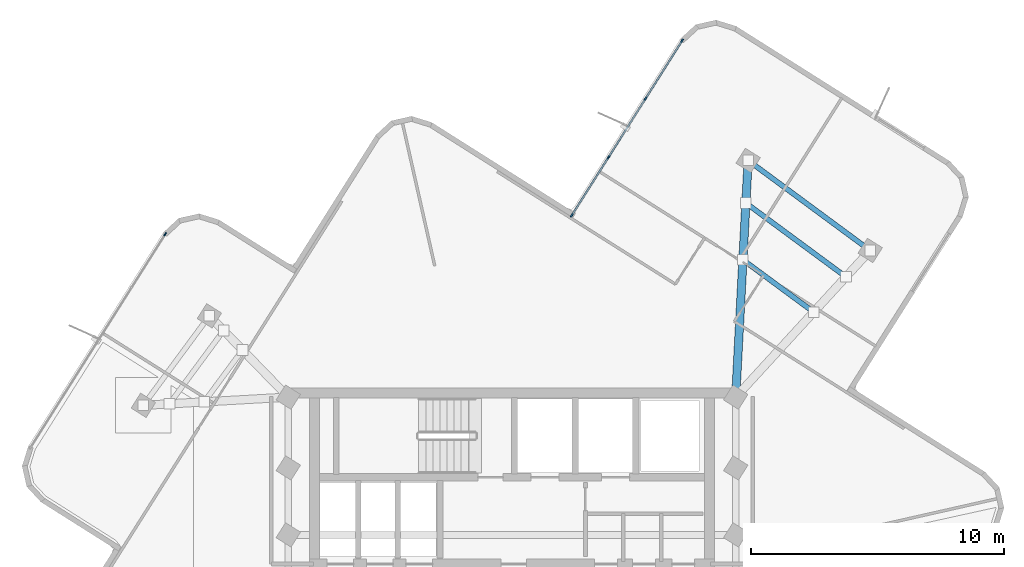
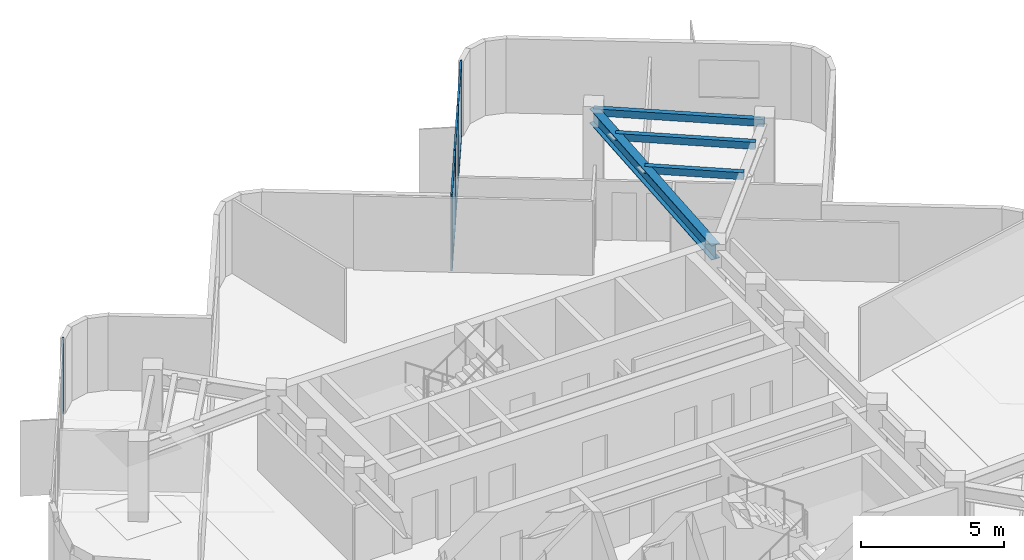
# One storey, part 4 of 10: 11 members, 4 beams, 2 elements without a shape of their own.
"""IFC4 building model written with IfcOpenShell, lengths in metres."""

from ifc_helpers import new_model, si_unit, direction, frame, origin, origin_2d, place, context, subcontext, project, spatial, rectangle, hollow_rectangle, i_section, extrude, material, layer, layer_set, material_profile, profile_set, type_object, element, aggregate, save


model = new_model("IFC4")

# Units and contexts
model_context = context("Model", 3, precision=1e-05, world=origin(), true_north=direction((0.0, 1.0)))
body_context = subcontext(model_context, "Body", "Model", "MODEL_VIEW")
ifc_project = project(units=[si_unit("LENGTHUNIT", "METRE"), si_unit("AREAUNIT", "SQUARE_METRE"), si_unit("VOLUMEUNIT", "CUBIC_METRE"), si_unit("PLANEANGLEUNIT", "RADIAN"), si_unit("MASSUNIT", "GRAM", prefix="KILO")], contexts=[model_context])

# Site, building, storey
site_placement = place(None, origin())
site = spatial("IfcSite", under=ifc_project, at=site_placement, CompositionType="ELEMENT")
building_placement = place(site_placement, origin())
building = spatial("IfcBuilding", under=site, at=building_placement, Name="Solmarez Civic Tower", CompositionType="ELEMENT")
storey_placement = place(building_placement, frame((0.0, 0.0, 274.860107421875)))
storey = spatial("IfcBuildingStorey", under=building, at=storey_placement, Name="L74", CompositionType="ELEMENT", Elevation=274.860107421875)

# Beams
ifc_material_1 = material(Name="Steel S355", Category="steel")
ifc_material_profile_1 = material_profile(ifc_material_1, hollow_rectangle(XDim=0.199951171875, YDim=0.300048828125, WallThickness=0.011962890625, at=origin_2d()), Name="HSS300X200X12")
ifc_profile_set_1 = profile_set([ifc_material_profile_1], Name="Steel S355")
beam_type_1 = type_object("IfcBeamType", Name="BM-JS-HSS300X200", PredefinedType="JOIST", material=ifc_profile_set_1)
beam_1_placement = place(storey_placement, frame((14.1689453125, 14.152099609375, 3.010009765625), z_axis=(-0.804687480311, 0.593698626434, 0.0), x_axis=(-0.593698626434, -0.804687480311, 0.0)))
element("IfcBeam", 1, at=beam_1_placement, inside=storey, type_object=beam_type_1, Name="L74 Secondary Floor Joist BM-L74-EA-T1", PredefinedType="JOIST", context=body_context, shape_type="SweptSolid", body=[
    extrude(hollow_rectangle(XDim=0.199951171875, YDim=0.300048828125, WallThickness=0.011962890625, at=origin_2d()), origin(), (0.0, 0.0, 1.0), 5.999755859375),
])
beam_2_placement = place(storey_placement, frame((11.93505859375, 11.715087890625, 3.010009765625), z_axis=(-0.8046818189, 0.593706299724, 0.0), x_axis=(-0.593706299724, -0.8046818189, 0.0)))
element("IfcBeam", 2, at=beam_2_placement, inside=storey, type_object=beam_type_1, Name="L74 Secondary Floor Joist JS-L74-EA-M11", PredefinedType="JOIST", context=body_context, shape_type="SweptSolid", body=[
    extrude(hollow_rectangle(XDim=0.199951171875, YDim=0.300048828125, WallThickness=0.011962890625, at=origin_2d()), origin(), (0.0, 0.0, 1.0), 3.479736328125),
])
beam_3_placement = place(storey_placement, frame((13.2119140625, 13.10791015625, 3.010009765625), z_axis=(-0.804762606031, 0.593596789019, 0.0), x_axis=(-0.593596789019, -0.804762606031, 0.0)))
element("IfcBeam", 3, at=beam_3_placement, inside=storey, type_object=beam_type_1, Name="L74 Secondary Floor Joist JS-L74-EA-M12", PredefinedType="JOIST", context=body_context, shape_type="SweptSolid", body=[
    extrude(hollow_rectangle(XDim=0.199951171875, YDim=0.300048828125, WallThickness=0.011962890625, at=origin_2d()), origin(), (0.0, 0.0, 1.0), 4.91943359375),
])
ifc_material_profile_2 = material_profile(ifc_material_1, i_section(OverallWidth=0.327880859375, OverallDepth=0.6220703125, WebThickness=0.015380859375, FlangeThickness=0.0244140625, at=origin_2d()), Name="W24X131")
ifc_profile_set_2 = profile_set([ifc_material_profile_2], Name="Steel S355")
beam_type_2 = type_object("IfcBeamType", Name="BM-PR-W24X131", PredefinedType="BEAM", material=ifc_profile_set_2)
beam_4_placement = place(storey_placement, frame((8.85009765625, 8.35009765625, 2.848876953125), z_axis=(0.052359315135, 0.998628310293, 0.0), x_axis=(-0.998628310293, 0.052359315135, 0.0)))
element("IfcBeam", 4, at=beam_4_placement, inside=storey, type_object=beam_type_2, Name="L74 Primary Floor Beam BM-L74-EA-R1B", PredefinedType="BEAM", context=body_context, shape_type="SweptSolid", body=[
    extrude(i_section(OverallWidth=0.327880859375, OverallDepth=0.6220703125, WebThickness=0.015380859375, FlangeThickness=0.0244140625, at=origin_2d()), origin(), (0.0, 0.0, 1.0), 9.376953125),
])

# Curtain wall, member
ifc_material_2 = material(Name="Bronze Anodised Aluminium EN AW-6063 T6", Category="aluminium")
ifc_layer = layer(ifc_material_2, 0.1650390625)
ifc_layer_set = layer_set([ifc_layer], Name="Bronze Anodised Aluminium EN AW-6063 T6")
curtain_wall_type = type_object("IfcCurtainWallType", Name="CW-SYS-4", PredefinedType="NOTDEFINED", material=ifc_layer_set)
curtain_wall_1_placement = place(storey_placement, origin())
curtain_wall_1 = element("IfcCurtainWall", 5, at=curtain_wall_1_placement, inside=storey, type_object=curtain_wall_type, Name="L74 Stick-Built Curtain Wall 1", PredefinedType="NOTDEFINED")
ifc_material_profile_3 = material_profile(ifc_material_2, rectangle(XDim=0.06005859375, YDim=0.14990234375, at=origin_2d()), Name="CWM-60X150")
ifc_profile_set_3 = profile_set([ifc_material_profile_3], Name="Bronze Anodised Aluminium EN AW-6063 T6")
member_type_1 = type_object("IfcMemberType", Name="CWM-TYPE-4", PredefinedType="MULLION", material=ifc_profile_set_3)
member_1_placement = place(storey_placement, frame((-13.718994140625, 14.794677734375, 0.0), z_axis=(0.0, 0.0, 1.0), x_axis=(-0.845443855725, 0.534064309626, 0.0)))
member_1 = element("IfcMember", 6, at=member_1_placement, type_object=member_type_1, Name="CWS4 mullion 5", PredefinedType="MULLION", context=body_context, shape_type="SweptSolid", body=[
    extrude(rectangle(XDim=0.06005859375, YDim=0.14990234375, at=origin_2d()), origin(), (0.0, 0.0, 1.0), 3.159912109375),
])
aggregate(curtain_wall_1, [member_1])

# Curtain wall, members
curtain_wall_2_placement = place(storey_placement, origin())
curtain_wall_2 = element("IfcCurtainWall", 7, at=curtain_wall_2_placement, inside=storey, type_object=curtain_wall_type, Name="L74 Stick-Built Curtain Wall 2", PredefinedType="NOTDEFINED")
member_2_placement = place(storey_placement, frame((2.364013671875, 15.538330078125, 0.0), z_axis=(0.0, 0.0, 1.0), x_axis=(-0.845514848796, 0.533951908383, 0.0)))
member_2 = element("IfcMember", 8, at=member_2_placement, type_object=member_type_1, Name="CWS4 mullion 1", PredefinedType="MULLION", context=body_context, shape_type="SweptSolid", body=[
    extrude(rectangle(XDim=0.06005859375, YDim=0.14990234375, at=origin_2d()), origin(), (0.0, 0.0, 1.0), 3.159912109375),
])
member_3_placement = place(storey_placement, frame((3.81494140625, 17.8359375, 0.0), z_axis=(0.0, 0.0, 1.0), x_axis=(-0.845514848796, 0.533951908383, 0.0)))
member_3 = element("IfcMember", 9, at=member_3_placement, type_object=member_type_1, Name="CWS4 mullion 2", PredefinedType="MULLION", context=body_context, shape_type="SweptSolid", body=[
    extrude(rectangle(XDim=0.06005859375, YDim=0.14990234375, at=origin_2d()), origin(), (0.0, 0.0, 1.0), 3.159912109375),
])
member_4_placement = place(storey_placement, frame((5.281982421875, 20.158935546875, 0.0), z_axis=(0.0, 0.0, 1.0), x_axis=(-0.845514848796, 0.533951908383, 0.0)))
member_4 = element("IfcMember", 10, at=member_4_placement, type_object=member_type_1, Name="CWS4 mullion 3", PredefinedType="MULLION", context=body_context, shape_type="SweptSolid", body=[
    extrude(rectangle(XDim=0.06005859375, YDim=0.14990234375, at=origin_2d()), origin(), (0.0, 0.0, 1.0), 3.159912109375),
])
member_5_placement = place(storey_placement, frame((6.73291015625, 22.45654296875, 0.0), z_axis=(0.0, 0.0, 1.0), x_axis=(-0.845514848796, 0.533951908383, 0.0)))
member_5 = element("IfcMember", 11, at=member_5_placement, type_object=member_type_1, Name="CWS4 mullion 4", PredefinedType="MULLION", context=body_context, shape_type="SweptSolid", body=[
    extrude(rectangle(XDim=0.06005859375, YDim=0.14990234375, at=origin_2d()), origin(), (0.0, 0.0, 1.0), 3.159912109375),
])
ifc_material_profile_4 = material_profile(ifc_material_2, rectangle(XDim=0.070068359375, YDim=0.139892578125, at=origin_2d()), Name="CWT-70X140")
ifc_profile_set_4 = profile_set([ifc_material_profile_4], Name="Bronze Anodised Aluminium EN AW-6063 T6")
member_type_2 = type_object("IfcMemberType", Name="CWT-TYPE-1", PredefinedType="USERDEFINED", material=ifc_profile_set_4)
member_6_placement = place(storey_placement, frame((2.380126953125, 15.563720703125, 0.034912109375), z_axis=(0.533965338267, 0.845506367528, 0.0), x_axis=(-0.845506367528, 0.533965338267, 0.0)))
member_6 = element("IfcMember", 12, at=member_6_placement, type_object=member_type_2, Name="CWS4 transom 1.1", ObjectType="TRANSOM", PredefinedType="USERDEFINED", context=body_context, shape_type="SweptSolid", body=[
    extrude(rectangle(XDim=0.070068359375, YDim=0.139892578125, at=origin_2d()), origin(), (0.0, 0.0, 1.0), 2.657470703125),
])
member_7_placement = place(storey_placement, frame((2.380126953125, 15.563720703125, 3.125), z_axis=(0.533965338267, 0.845506367528, 0.0), x_axis=(-0.845506367528, 0.533965338267, 0.0)))
member_7 = element("IfcMember", 13, at=member_7_placement, type_object=member_type_2, Name="CWS4 transom 1.2", ObjectType="TRANSOM", PredefinedType="USERDEFINED", context=body_context, shape_type="SweptSolid", body=[
    extrude(rectangle(XDim=0.070068359375, YDim=0.139892578125, at=origin_2d()), origin(), (0.0, 0.0, 1.0), 2.657470703125),
])
member_8_placement = place(storey_placement, frame((3.8310546875, 17.861328125, 0.034912109375), z_axis=(0.533921209539, 0.845534234673, 0.0), x_axis=(-0.845534234673, 0.533921209539, 0.0)))
member_8 = element("IfcMember", 14, at=member_8_placement, type_object=member_type_2, Name="CWS4 transom 2.1", ObjectType="TRANSOM", PredefinedType="USERDEFINED", context=body_context, shape_type="SweptSolid", body=[
    extrude(rectangle(XDim=0.070068359375, YDim=0.139892578125, at=origin_2d()), origin(), (0.0, 0.0, 1.0), 2.687255859375),
])
member_9_placement = place(storey_placement, frame((3.8310546875, 17.861328125, 3.125), z_axis=(0.533921209539, 0.845534234673, 0.0), x_axis=(-0.845534234673, 0.533921209539, 0.0)))
member_9 = element("IfcMember", 15, at=member_9_placement, type_object=member_type_2, Name="CWS4 transom 2.2", ObjectType="TRANSOM", PredefinedType="USERDEFINED", context=body_context, shape_type="SweptSolid", body=[
    extrude(rectangle(XDim=0.070068359375, YDim=0.139892578125, at=origin_2d()), origin(), (0.0, 0.0, 1.0), 2.687255859375),
])
member_10_placement = place(storey_placement, frame((5.298095703125, 20.184326171875, 0.034912109375), z_axis=(0.533965338267, 0.845506367528, 0.0), x_axis=(-0.845506367528, 0.533965338267, 0.0)))
member_10 = element("IfcMember", 16, at=member_10_placement, type_object=member_type_2, Name="CWS4 transom 3.1", ObjectType="TRANSOM", PredefinedType="USERDEFINED", context=body_context, shape_type="SweptSolid", body=[
    extrude(rectangle(XDim=0.070068359375, YDim=0.139892578125, at=origin_2d()), origin(), (0.0, 0.0, 1.0), 2.657470703125),
])
member_11_placement = place(storey_placement, frame((5.298095703125, 20.184326171875, 3.125), z_axis=(0.533965338267, 0.845506367528, 0.0), x_axis=(-0.845506367528, 0.533965338267, 0.0)))
member_11 = element("IfcMember", 17, at=member_11_placement, type_object=member_type_2, Name="CWS4 transom 3.2", ObjectType="TRANSOM", PredefinedType="USERDEFINED", context=body_context, shape_type="SweptSolid", body=[
    extrude(rectangle(XDim=0.070068359375, YDim=0.139892578125, at=origin_2d()), origin(), (0.0, 0.0, 1.0), 2.657470703125),
])
aggregate(curtain_wall_2, [member_2, member_3, member_4, member_5, member_6, member_7, member_8, member_9, member_10, member_11])

save(model, "model.ifc")
